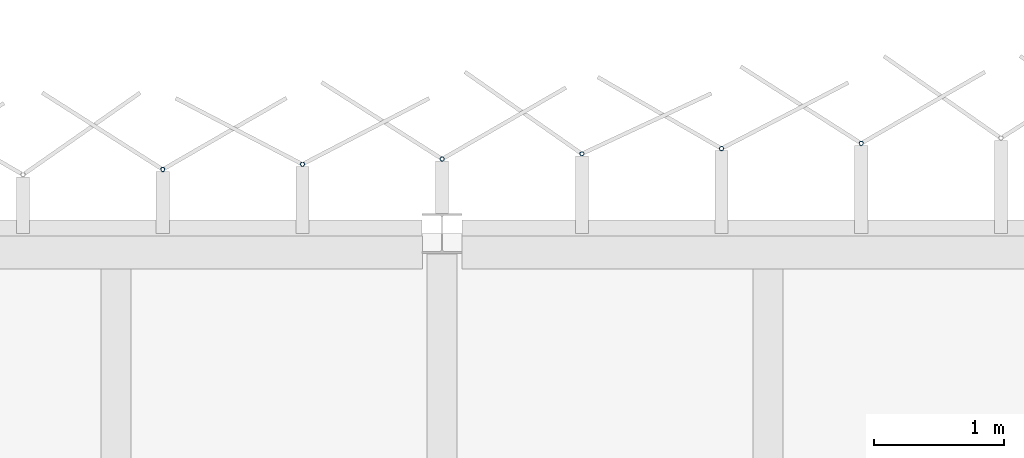
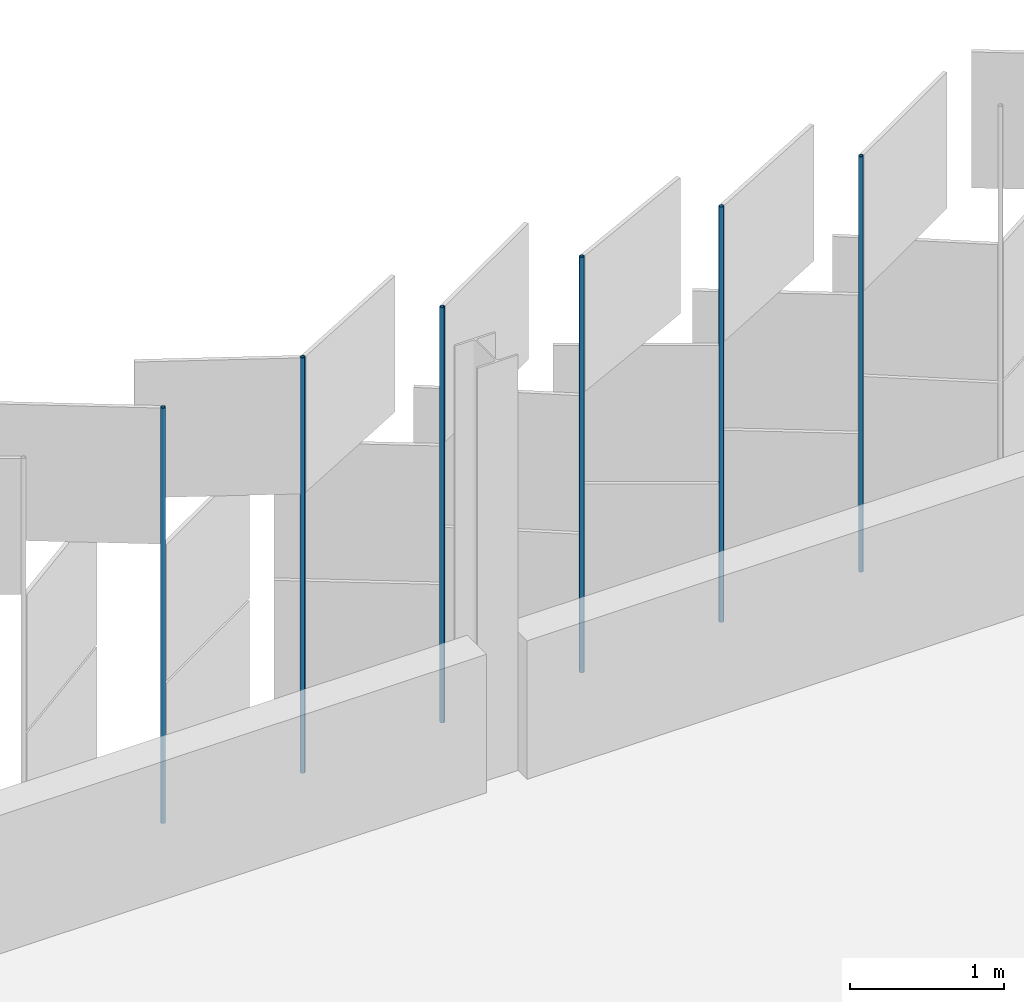
# One storey, part 155 of 198: 6 discrete accessories.
"""IFC4 building model written with IfcOpenShell, lengths in metres."""

from ifc_helpers import new_model, si_unit, direction, frame, origin, origin_2d, place, context, subcontext, project, spatial, hollow_circle, extrude, material, material_profile, profile_set, type_object, element, save


model = new_model("IFC4")

# Units and contexts
model_context = context("Model", 3, precision=1e-05, world=origin(), true_north=direction((0.0, 1.0)))
body_context = subcontext(model_context, "Body", "Model", "MODEL_VIEW")
ifc_project = project(units=[si_unit("LENGTHUNIT", "METRE"), si_unit("AREAUNIT", "SQUARE_METRE"), si_unit("VOLUMEUNIT", "CUBIC_METRE"), si_unit("PLANEANGLEUNIT", "RADIAN"), si_unit("MASSUNIT", "GRAM", prefix="KILO")], contexts=[model_context])

# Site, building, storey
site_placement = place(None, origin())
site = spatial("IfcSite", under=ifc_project, at=site_placement, CompositionType="ELEMENT")
building_placement = place(site_placement, origin())
building = spatial("IfcBuilding", under=site, at=building_placement, Name="Parallax Yard Mobility Hub", CompositionType="ELEMENT")
storey_placement = place(building_placement, frame((0.0, 0.0, 6.60009765625)))
storey = spatial("IfcBuildingStorey", under=building, at=storey_placement, Name="L02", CompositionType="ELEMENT", Elevation=6.60009765625)

# Discrete accessories
ifc_material = material(Name="Steel ASTM A500 Gr C, hot-dip galvanised", Category="steel")
ifc_material_profile = material_profile(ifc_material, hollow_circle(Radius=0.016845703125, WallThickness=0.003173828125, at=origin_2d()), Name="CHS 33.7x3.2")
ifc_profile_set = profile_set([ifc_material_profile], Name="Steel ASTM A500 Gr C, hot-dip galvanised")
discrete_accessory_type = type_object("IfcDiscreteAccessoryType", Name="Hinge post CHS 33.7x3.2", PredefinedType="BRACKET", material=ifc_profile_set)
for number, where, z_axis, x_axis, name in (
    (1, (168.215576171875, 143.19140625, 0.0), (0.0, 0.0, 1.0), (1.0, 0.0, 0.0), "Hinge post bay 51.5 level L02"),
    (2, (167.14404296875, 143.1513671875, 0.0), (0.0, 0.0, 1.0), (1.0, 0.0, 0.0), "Hinge post bay 51.6 level L02"),
    (3, (166.072509765625, 143.111328125, 0.0), (0.0, 0.0, 1.0), (1.0, 0.0, 0.0), "Hinge post bay 51.7 level L02"),
    (4, (165.0009765625, 143.0712890625, 0.0), (0.0, 0.0, 1.0), (1.0, 0.0, 0.0), "Hinge post bay 52.1 level L02"),
    (5, (163.929443359375, 143.03125, 0.0), (0.0, 0.0, 1.0), (1.0, 0.0, 0.0), "Hinge post bay 52.2 level L02"),
    (6, (162.85791015625, 142.9912109375, 0.0), (0.0, 0.0, 1.0), (1.0, 0.0, 0.0), "Hinge post bay 52.3 level L02"),
):
    element("IfcDiscreteAccessory", number, at=place(storey_placement, frame(where, z_axis=z_axis, x_axis=x_axis)), inside=storey, type_object=discrete_accessory_type, Name=name, PredefinedType="BRACKET", context=body_context, shape_type="SweptSolid", body=[
        extrude(hollow_circle(Radius=0.016845703125, WallThickness=0.003173828125, at=origin_2d()), origin(), (0.0, 0.0, 1.0), 3.2998046875),
    ])

save(model, "model.ifc")
